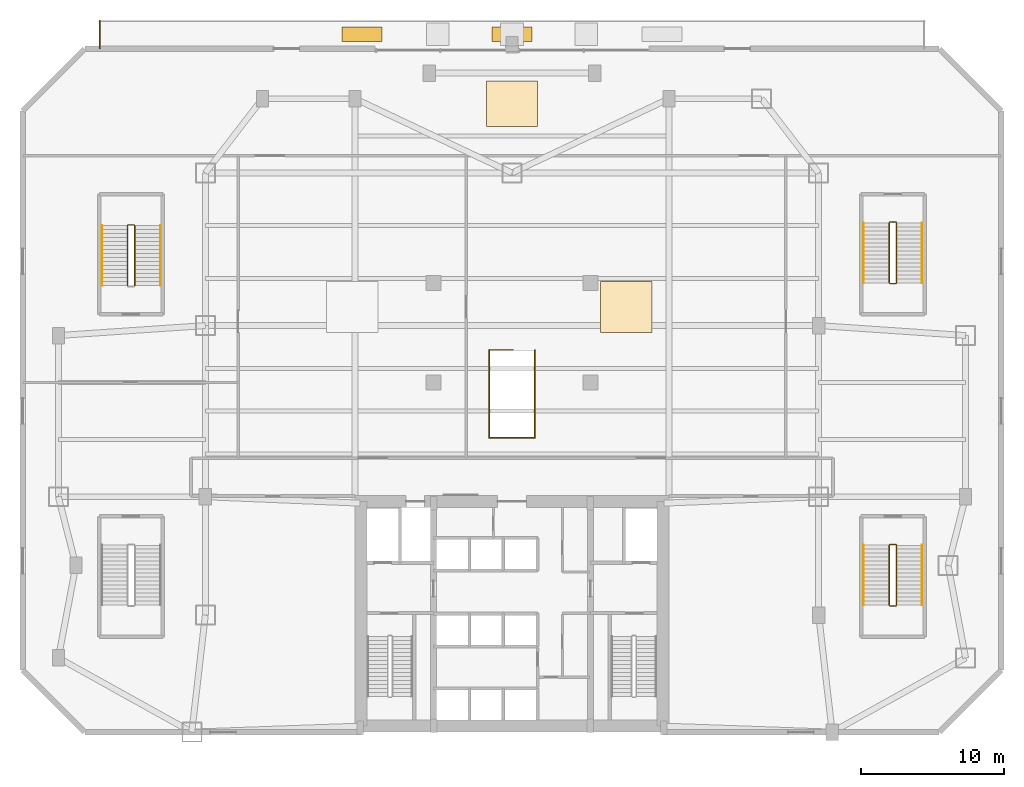
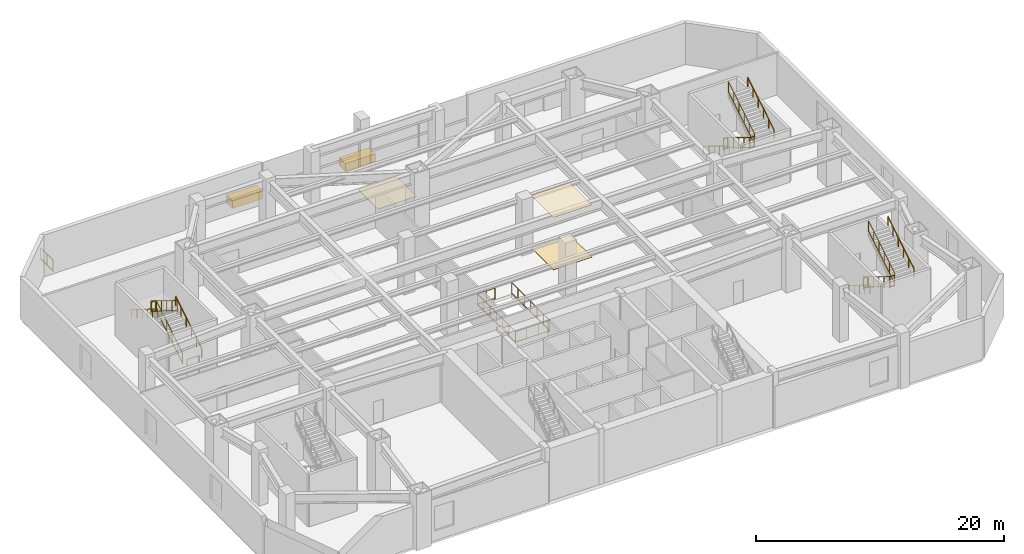
# One storey, part 9 of 10: 22 railings, 5 coverings.
"""IFC4 building model written with IfcOpenShell, lengths in metres."""

from ifc_helpers import new_model, si_unit, direction, frame, origin, origin_2d, place, context, subcontext, project, spatial, rectangle, extrude, source, transform, mapped, material, layer, layer_set, type_object, type_shapes, element, save


model = new_model("IFC4")

# Units and contexts
model_context = context("Model", 3, precision=1e-05, world=origin(), true_north=direction((0.0, 1.0)))
body_context = subcontext(model_context, "Body", "Model", "MODEL_VIEW")
ifc_project = project(units=[si_unit("LENGTHUNIT", "METRE"), si_unit("AREAUNIT", "SQUARE_METRE"), si_unit("VOLUMEUNIT", "CUBIC_METRE"), si_unit("PLANEANGLEUNIT", "RADIAN"), si_unit("MASSUNIT", "GRAM", prefix="KILO")], contexts=[model_context])

# Site, building, storey
site_placement = place(None, origin())
site = spatial("IfcSite", under=ifc_project, at=site_placement, CompositionType="ELEMENT")
building_placement = place(site_placement, origin())
building = spatial("IfcBuilding", under=site, at=building_placement, Name="Varnakhor Terracotta Tower", CompositionType="ELEMENT")
storey_placement = place(building_placement, frame((0.0, 0.0, 5.5)))
storey = spatial("IfcBuildingStorey", under=building, at=storey_placement, Name="L01", CompositionType="ELEMENT", Elevation=5.5)

# Railings
ifc_material_1 = material(Name="Painted Steel Stairwell Guardrail", Category="steel")
railing_type_1 = type_object("IfcRailingType", Name="RLG-STAIR-GUARD-1120", PredefinedType="GUARDRAIL", material=ifc_material_1)
railing_1_placement = place(storey_placement, frame((26.449951171875, 13.10009765625, 0.171875)))
element("IfcRailing", 1, at=railing_1_placement, inside=storey, type_object=railing_type_1, Name="L01 ST-P2 stair guard 1", PredefinedType="GUARDRAIL", context=body_context, shape_type="SweptSolid", body=[
    extrude(rectangle(XDim=0.048095703125, YDim=0.048095703125, at=origin_2d()), frame((0.0, 0.0, 1.09619140625), z_axis=(0.0, -0.852256472501, 0.523124177495), x_axis=(1.0, 0.0, 0.0)), (0.0, 0.0, 1.0), 4.92822265625),
    extrude(rectangle(XDim=0.048095703125, YDim=0.048095703125, at=origin_2d()), frame((0.0, 0.0, 0.10009765625), z_axis=(0.0, -0.852256472501, 0.523124177495), x_axis=(1.0, 0.0, 0.0)), (0.0, 0.0, 1.0), 4.92822265625),
    extrude(rectangle(XDim=0.0419921875, YDim=0.0419921875, at=origin_2d()), origin(), (0.0, 0.0, 1.0), 1.072021484375),
    extrude(rectangle(XDim=0.0419921875, YDim=0.0419921875, at=origin_2d()), frame((0.0, -0.840087890625, 0.515625)), (0.0, 0.0, 1.0), 1.072021484375),
    extrude(rectangle(XDim=0.0419921875, YDim=0.0419921875, at=origin_2d()), frame((0.0, -1.68017578125, 1.03125)), (0.0, 0.0, 1.0), 1.072021484375),
    extrude(rectangle(XDim=0.0419921875, YDim=0.0419921875, at=origin_2d()), frame((0.0, -2.52001953125, 1.546875)), (0.0, 0.0, 1.0), 1.072021484375),
    extrude(rectangle(XDim=0.0419921875, YDim=0.0419921875, at=origin_2d()), frame((0.0, -3.360107421875, 2.0625)), (0.0, 0.0, 1.0), 1.072021484375),
    extrude(rectangle(XDim=0.0419921875, YDim=0.0419921875, at=origin_2d()), frame((0.0, -4.2001953125, 2.578125)), (0.0, 0.0, 1.0), 1.072021484375),
])
railing_2_placement = place(storey_placement, frame((26.5, 8.85009765625, 2.75)))
element("IfcRailing", 2, at=railing_2_placement, inside=storey, type_object=railing_type_1, Name="L01 ST-P2 stair guard 2", PredefinedType="GUARDRAIL", context=body_context, shape_type="SweptSolid", body=[
    extrude(rectangle(XDim=0.048095703125, YDim=0.048095703125, at=origin_2d()), frame((0.0, 0.0, 1.09619140625), z_axis=(1.0, 0.0, 0.0), x_axis=(0.0, 1.0, 0.0)), (0.0, 0.0, 1.0), 0.39990234375),
    extrude(rectangle(XDim=0.048095703125, YDim=0.048095703125, at=origin_2d()), frame((0.0, 0.0, 0.10009765625), z_axis=(1.0, 0.0, 0.0), x_axis=(0.0, 1.0, 0.0)), (0.0, 0.0, 1.0), 0.39990234375),
    extrude(rectangle(XDim=0.0419921875, YDim=0.0419921875, at=origin_2d()), origin(), (0.0, 0.0, 1.0), 1.072021484375),
    extrude(rectangle(XDim=0.0419921875, YDim=0.0419921875, at=origin_2d()), frame((0.39990234375, 0.0, 0.0)), (0.0, 0.0, 1.0), 1.072021484375),
])
railing_3_placement = place(storey_placement, frame((26.949951171875, 8.89990234375, 2.921875)))
element("IfcRailing", 3, at=railing_3_placement, inside=storey, type_object=railing_type_1, Name="L01 ST-P2 stair guard 3", PredefinedType="GUARDRAIL", context=body_context, shape_type="SweptSolid", body=[
    extrude(rectangle(XDim=0.048095703125, YDim=0.048095703125, at=origin_2d()), frame((0.0, 0.0, 1.09619140625), z_axis=(0.0, 0.852256472501, 0.523124177495), x_axis=(-1.0, 0.0, 0.0)), (0.0, 0.0, 1.0), 4.92822265625),
    extrude(rectangle(XDim=0.048095703125, YDim=0.048095703125, at=origin_2d()), frame((0.0, 0.0, 0.10009765625), z_axis=(0.0, 0.852256472501, 0.523124177495), x_axis=(-1.0, 0.0, 0.0)), (0.0, 0.0, 1.0), 4.92822265625),
    extrude(rectangle(XDim=0.0419921875, YDim=0.0419921875, at=origin_2d()), origin(), (0.0, 0.0, 1.0), 1.072021484375),
    extrude(rectangle(XDim=0.0419921875, YDim=0.0419921875, at=origin_2d()), frame((0.0, 0.840087890625, 0.515625)), (0.0, 0.0, 1.0), 1.072021484375),
    extrude(rectangle(XDim=0.0419921875, YDim=0.0419921875, at=origin_2d()), frame((0.0, 1.68017578125, 1.03125)), (0.0, 0.0, 1.0), 1.072021484375),
    extrude(rectangle(XDim=0.0419921875, YDim=0.0419921875, at=origin_2d()), frame((0.0, 2.52001953125, 1.546875)), (0.0, 0.0, 1.0), 1.072021484375),
    extrude(rectangle(XDim=0.0419921875, YDim=0.0419921875, at=origin_2d()), frame((0.0, 3.360107421875, 2.0625)), (0.0, 0.0, 1.0), 1.072021484375),
    extrude(rectangle(XDim=0.0419921875, YDim=0.0419921875, at=origin_2d()), frame((0.0, 4.2001953125, 2.578125)), (0.0, 0.0, 1.0), 1.072021484375),
])
railing_4_placement = place(storey_placement, frame((26.5, 13.14990234375, 0.0)))
element("IfcRailing", 4, at=railing_4_placement, inside=storey, type_object=railing_type_1, Name="L01 ST-P2 stair guard 4", PredefinedType="GUARDRAIL", context=body_context, shape_type="SweptSolid", body=[
    extrude(rectangle(XDim=0.048095703125, YDim=0.048095703125, at=origin_2d()), frame((0.0, 0.0, 1.09619140625), z_axis=(1.0, 0.0, 0.0), x_axis=(0.0, 1.0, 0.0)), (0.0, 0.0, 1.0), 0.39990234375),
    extrude(rectangle(XDim=0.048095703125, YDim=0.048095703125, at=origin_2d()), frame((0.0, 0.0, 0.10009765625), z_axis=(1.0, 0.0, 0.0), x_axis=(0.0, 1.0, 0.0)), (0.0, 0.0, 1.0), 0.39990234375),
    extrude(rectangle(XDim=0.0419921875, YDim=0.0419921875, at=origin_2d()), origin(), (0.0, 0.0, 1.0), 1.072021484375),
    extrude(rectangle(XDim=0.0419921875, YDim=0.0419921875, at=origin_2d()), frame((0.39990234375, 0.0, 0.0)), (0.0, 0.0, 1.0), 1.072021484375),
])
railing_5_placement = place(storey_placement, frame((-26.449951171875, 31.300048828125, 0.171875)))
element("IfcRailing", 5, at=railing_5_placement, inside=storey, type_object=railing_type_1, Name="L01 ST-P3 stair guard 1", PredefinedType="GUARDRAIL", context=body_context, shape_type="SweptSolid", body=[
    extrude(rectangle(XDim=0.048095703125, YDim=0.048095703125, at=origin_2d()), frame((0.0, 0.0, 1.09619140625), z_axis=(0.0, 0.852242915053, 0.523146264196), x_axis=(-1.0, 0.0, 0.0)), (0.0, 0.0, 1.0), 4.92822265625),
    extrude(rectangle(XDim=0.048095703125, YDim=0.048095703125, at=origin_2d()), frame((0.0, 0.0, 0.10009765625), z_axis=(0.0, 0.852242915053, 0.523146264196), x_axis=(-1.0, 0.0, 0.0)), (0.0, 0.0, 1.0), 4.92822265625),
    extrude(rectangle(XDim=0.0419921875, YDim=0.0419921875, at=origin_2d()), origin(), (0.0, 0.0, 1.0), 1.072021484375),
    extrude(rectangle(XDim=0.0419921875, YDim=0.0419921875, at=origin_2d()), frame((0.0, 0.840087890625, 0.515625)), (0.0, 0.0, 1.0), 1.072021484375),
    extrude(rectangle(XDim=0.0419921875, YDim=0.0419921875, at=origin_2d()), frame((0.0, 1.679931640625, 1.03125)), (0.0, 0.0, 1.0), 1.072021484375),
    extrude(rectangle(XDim=0.0419921875, YDim=0.0419921875, at=origin_2d()), frame((0.0, 2.52001953125, 1.546875)), (0.0, 0.0, 1.0), 1.072021484375),
    extrude(rectangle(XDim=0.0419921875, YDim=0.0419921875, at=origin_2d()), frame((0.0, 3.35986328125, 2.0625)), (0.0, 0.0, 1.0), 1.072021484375),
    extrude(rectangle(XDim=0.0419921875, YDim=0.0419921875, at=origin_2d()), frame((0.0, 4.199951171875, 2.578125)), (0.0, 0.0, 1.0), 1.072021484375),
])
railing_6_placement = place(storey_placement, frame((-26.5, 35.550048828125, 2.75)))
element("IfcRailing", 6, at=railing_6_placement, inside=storey, type_object=railing_type_1, Name="L01 ST-P3 stair guard 2", PredefinedType="GUARDRAIL", context=body_context, shape_type="SweptSolid", body=[
    extrude(rectangle(XDim=0.048095703125, YDim=0.048095703125, at=origin_2d()), frame((0.0, 0.0, 1.09619140625), z_axis=(-1.0, 0.0, 0.0), x_axis=(0.0, -1.0, 0.0)), (0.0, 0.0, 1.0), 0.39990234375),
    extrude(rectangle(XDim=0.048095703125, YDim=0.048095703125, at=origin_2d()), frame((0.0, 0.0, 0.10009765625), z_axis=(-1.0, 0.0, 0.0), x_axis=(0.0, -1.0, 0.0)), (0.0, 0.0, 1.0), 0.39990234375),
    extrude(rectangle(XDim=0.0419921875, YDim=0.0419921875, at=origin_2d()), origin(), (0.0, 0.0, 1.0), 1.072021484375),
    extrude(rectangle(XDim=0.0419921875, YDim=0.0419921875, at=origin_2d()), frame((-0.39990234375, 0.0, 0.0)), (0.0, 0.0, 1.0), 1.072021484375),
])
for number, where, name in (
    (7, (-26.949951171875, 35.5, 2.921875), "L01 ST-P3 stair guard 3"),
    (8, (26.449951171875, 35.699951171875, 0.171875), "L01 ST-P4 stair guard 1"),
):
    element("IfcRailing", number, at=place(storey_placement, frame(where)), inside=storey, type_object=railing_type_1, Name=name, PredefinedType="GUARDRAIL", context=body_context, shape_type="SweptSolid", body=[
        extrude(rectangle(XDim=0.048095703125, YDim=0.048095703125, at=origin_2d()), frame((0.0, 0.0, 1.09619140625), z_axis=(0.0, -0.852242915053, 0.523146264196), x_axis=(1.0, 0.0, 0.0)), (0.0, 0.0, 1.0), 4.92822265625),
        extrude(rectangle(XDim=0.048095703125, YDim=0.048095703125, at=origin_2d()), frame((0.0, 0.0, 0.10009765625), z_axis=(0.0, -0.852242915053, 0.523146264196), x_axis=(1.0, 0.0, 0.0)), (0.0, 0.0, 1.0), 4.92822265625),
        extrude(rectangle(XDim=0.0419921875, YDim=0.0419921875, at=origin_2d()), origin(), (0.0, 0.0, 1.0), 1.072021484375),
        extrude(rectangle(XDim=0.0419921875, YDim=0.0419921875, at=origin_2d()), frame((0.0, -0.840087890625, 0.515625)), (0.0, 0.0, 1.0), 1.072021484375),
        extrude(rectangle(XDim=0.0419921875, YDim=0.0419921875, at=origin_2d()), frame((0.0, -1.679931640625, 1.03125)), (0.0, 0.0, 1.0), 1.072021484375),
        extrude(rectangle(XDim=0.0419921875, YDim=0.0419921875, at=origin_2d()), frame((0.0, -2.52001953125, 1.546875)), (0.0, 0.0, 1.0), 1.072021484375),
        extrude(rectangle(XDim=0.0419921875, YDim=0.0419921875, at=origin_2d()), frame((0.0, -3.35986328125, 2.0625)), (0.0, 0.0, 1.0), 1.072021484375),
        extrude(rectangle(XDim=0.0419921875, YDim=0.0419921875, at=origin_2d()), frame((0.0, -4.199951171875, 2.578125)), (0.0, 0.0, 1.0), 1.072021484375),
    ])
railing_7_placement = place(storey_placement, frame((26.5, 31.449951171875, 2.75)))
element("IfcRailing", 9, at=railing_7_placement, inside=storey, type_object=railing_type_1, Name="L01 ST-P4 stair guard 2", PredefinedType="GUARDRAIL", context=body_context, shape_type="SweptSolid", body=[
    extrude(rectangle(XDim=0.048095703125, YDim=0.048095703125, at=origin_2d()), frame((0.0, 0.0, 1.09619140625), z_axis=(1.0, 0.0, 0.0), x_axis=(0.0, 1.0, 0.0)), (0.0, 0.0, 1.0), 0.39990234375),
    extrude(rectangle(XDim=0.048095703125, YDim=0.048095703125, at=origin_2d()), frame((0.0, 0.0, 0.10009765625), z_axis=(1.0, 0.0, 0.0), x_axis=(0.0, 1.0, 0.0)), (0.0, 0.0, 1.0), 0.39990234375),
    extrude(rectangle(XDim=0.0419921875, YDim=0.0419921875, at=origin_2d()), origin(), (0.0, 0.0, 1.0), 1.072021484375),
    extrude(rectangle(XDim=0.0419921875, YDim=0.0419921875, at=origin_2d()), frame((0.39990234375, 0.0, 0.0)), (0.0, 0.0, 1.0), 1.072021484375),
])
railing_8_placement = place(storey_placement, frame((26.949951171875, 31.5, 2.921875)))
element("IfcRailing", 10, at=railing_8_placement, inside=storey, type_object=railing_type_1, Name="L01 ST-P4 stair guard 3", PredefinedType="GUARDRAIL", context=body_context, shape_type="SweptSolid", body=[
    extrude(rectangle(XDim=0.048095703125, YDim=0.048095703125, at=origin_2d()), frame((0.0, 0.0, 1.09619140625), z_axis=(0.0, 0.852242915053, 0.523146264196), x_axis=(-1.0, 0.0, 0.0)), (0.0, 0.0, 1.0), 4.92822265625),
    extrude(rectangle(XDim=0.048095703125, YDim=0.048095703125, at=origin_2d()), frame((0.0, 0.0, 0.10009765625), z_axis=(0.0, 0.852242915053, 0.523146264196), x_axis=(-1.0, 0.0, 0.0)), (0.0, 0.0, 1.0), 4.92822265625),
    extrude(rectangle(XDim=0.0419921875, YDim=0.0419921875, at=origin_2d()), origin(), (0.0, 0.0, 1.0), 1.072021484375),
    extrude(rectangle(XDim=0.0419921875, YDim=0.0419921875, at=origin_2d()), frame((0.0, 0.840087890625, 0.515625)), (0.0, 0.0, 1.0), 1.072021484375),
    extrude(rectangle(XDim=0.0419921875, YDim=0.0419921875, at=origin_2d()), frame((0.0, 1.679931640625, 1.03125)), (0.0, 0.0, 1.0), 1.072021484375),
    extrude(rectangle(XDim=0.0419921875, YDim=0.0419921875, at=origin_2d()), frame((0.0, 2.52001953125, 1.546875)), (0.0, 0.0, 1.0), 1.072021484375),
    extrude(rectangle(XDim=0.0419921875, YDim=0.0419921875, at=origin_2d()), frame((0.0, 3.35986328125, 2.0625)), (0.0, 0.0, 1.0), 1.072021484375),
    extrude(rectangle(XDim=0.0419921875, YDim=0.0419921875, at=origin_2d()), frame((0.0, 4.199951171875, 2.578125)), (0.0, 0.0, 1.0), 1.072021484375),
])
railing_9_placement = place(storey_placement, frame((26.5, 35.75, 0.0)))
element("IfcRailing", 11, at=railing_9_placement, inside=storey, type_object=railing_type_1, Name="L01 ST-P4 stair guard 4", PredefinedType="GUARDRAIL", context=body_context, shape_type="SweptSolid", body=[
    extrude(rectangle(XDim=0.048095703125, YDim=0.048095703125, at=origin_2d()), frame((0.0, 0.0, 1.09619140625), z_axis=(1.0, 0.0, 0.0), x_axis=(0.0, 1.0, 0.0)), (0.0, 0.0, 1.0), 0.39990234375),
    extrude(rectangle(XDim=0.048095703125, YDim=0.048095703125, at=origin_2d()), frame((0.0, 0.0, 0.10009765625), z_axis=(1.0, 0.0, 0.0), x_axis=(0.0, 1.0, 0.0)), (0.0, 0.0, 1.0), 0.39990234375),
    extrude(rectangle(XDim=0.0419921875, YDim=0.0419921875, at=origin_2d()), origin(), (0.0, 0.0, 1.0), 1.072021484375),
    extrude(rectangle(XDim=0.0419921875, YDim=0.0419921875, at=origin_2d()), frame((0.39990234375, 0.0, 0.0)), (0.0, 0.0, 1.0), 1.072021484375),
])
railing_10_placement = place(storey_placement, frame((-1.60009765625, 20.6298828125, 0.0)))
element("IfcRailing", 12, at=railing_10_placement, inside=storey, type_object=railing_type_1, Name="L01 Feature Stair Well Balustrade 1", PredefinedType="GUARDRAIL", context=body_context, shape_type="SweptSolid", body=[
    extrude(rectangle(XDim=0.048095703125, YDim=0.048095703125, at=origin_2d()), frame((0.0, 0.0, 1.1259765625), z_axis=(0.0, 1.0, 0.0), x_axis=(-1.0, 0.0, 0.0)), (0.0, 0.0, 1.0), 6.150146484375),
    extrude(rectangle(XDim=0.048095703125, YDim=0.048095703125, at=origin_2d()), frame((0.0, 0.0, 0.10009765625), z_axis=(0.0, 1.0, 0.0), x_axis=(-1.0, 0.0, 0.0)), (0.0, 0.0, 1.0), 6.150146484375),
    extrude(rectangle(XDim=0.0419921875, YDim=0.0419921875, at=origin_2d()), origin(), (0.0, 0.0, 1.0), 1.101806640625),
    extrude(rectangle(XDim=0.0419921875, YDim=0.0419921875, at=origin_2d()), frame((0.0, 1.02490234375, 0.0)), (0.0, 0.0, 1.0), 1.101806640625),
    extrude(rectangle(XDim=0.0419921875, YDim=0.0419921875, at=origin_2d()), frame((0.0, 2.050048828125, 0.0)), (0.0, 0.0, 1.0), 1.101806640625),
    extrude(rectangle(XDim=0.0419921875, YDim=0.0419921875, at=origin_2d()), frame((0.0, 3.0751953125, 0.0)), (0.0, 0.0, 1.0), 1.101806640625),
    extrude(rectangle(XDim=0.0419921875, YDim=0.0419921875, at=origin_2d()), frame((0.0, 4.10009765625, 0.0)), (0.0, 0.0, 1.0), 1.101806640625),
    extrude(rectangle(XDim=0.0419921875, YDim=0.0419921875, at=origin_2d()), frame((0.0, 5.125, 0.0)), (0.0, 0.0, 1.0), 1.101806640625),
    extrude(rectangle(XDim=0.0419921875, YDim=0.0419921875, at=origin_2d()), frame((0.0, 6.150146484375, 0.0)), (0.0, 0.0, 1.0), 1.101806640625),
])
railing_11_placement = place(storey_placement, frame((-1.60009765625, 20.6298828125, 0.0)))
element("IfcRailing", 13, at=railing_11_placement, inside=storey, type_object=railing_type_1, Name="L01 Feature Stair Well Balustrade 2", PredefinedType="GUARDRAIL", context=body_context, shape_type="SweptSolid", body=[
    extrude(rectangle(XDim=0.048095703125, YDim=0.048095703125, at=origin_2d()), frame((0.0, 0.0, 1.1259765625), z_axis=(1.0, 0.0, 0.0), x_axis=(0.0, 1.0, 0.0)), (0.0, 0.0, 1.0), 3.2001953125),
    extrude(rectangle(XDim=0.048095703125, YDim=0.048095703125, at=origin_2d()), frame((0.0, 0.0, 0.10009765625), z_axis=(1.0, 0.0, 0.0), x_axis=(0.0, 1.0, 0.0)), (0.0, 0.0, 1.0), 3.2001953125),
    extrude(rectangle(XDim=0.0419921875, YDim=0.0419921875, at=origin_2d()), origin(), (0.0, 0.0, 1.0), 1.101806640625),
    extrude(rectangle(XDim=0.0419921875, YDim=0.0419921875, at=origin_2d()), frame((1.066650390625, 0.0, 0.0)), (0.0, 0.0, 1.0), 1.101806640625),
    extrude(rectangle(XDim=0.0419921875, YDim=0.0419921875, at=origin_2d()), frame((2.133544921875, 0.0, 0.0)), (0.0, 0.0, 1.0), 1.101806640625),
    extrude(rectangle(XDim=0.0419921875, YDim=0.0419921875, at=origin_2d()), frame((3.2001953125, 0.0, 0.0)), (0.0, 0.0, 1.0), 1.101806640625),
])
railing_12_placement = place(storey_placement, frame((1.60009765625, 20.6298828125, 0.0)))
element("IfcRailing", 14, at=railing_12_placement, inside=storey, type_object=railing_type_1, Name="L01 Feature Stair Well Balustrade 3", PredefinedType="GUARDRAIL", context=body_context, shape_type="SweptSolid", body=[
    extrude(rectangle(XDim=0.048095703125, YDim=0.048095703125, at=origin_2d()), frame((0.0, 0.0, 1.1259765625), z_axis=(0.0, 1.0, 0.0), x_axis=(-1.0, 0.0, 0.0)), (0.0, 0.0, 1.0), 6.150146484375),
    extrude(rectangle(XDim=0.048095703125, YDim=0.048095703125, at=origin_2d()), frame((0.0, 0.0, 0.10009765625), z_axis=(0.0, 1.0, 0.0), x_axis=(-1.0, 0.0, 0.0)), (0.0, 0.0, 1.0), 6.150146484375),
    extrude(rectangle(XDim=0.0419921875, YDim=0.0419921875, at=origin_2d()), origin(), (0.0, 0.0, 1.0), 1.101806640625),
    extrude(rectangle(XDim=0.0419921875, YDim=0.0419921875, at=origin_2d()), frame((0.0, 1.02490234375, 0.0)), (0.0, 0.0, 1.0), 1.101806640625),
    extrude(rectangle(XDim=0.0419921875, YDim=0.0419921875, at=origin_2d()), frame((0.0, 2.050048828125, 0.0)), (0.0, 0.0, 1.0), 1.101806640625),
    extrude(rectangle(XDim=0.0419921875, YDim=0.0419921875, at=origin_2d()), frame((0.0, 3.0751953125, 0.0)), (0.0, 0.0, 1.0), 1.101806640625),
    extrude(rectangle(XDim=0.0419921875, YDim=0.0419921875, at=origin_2d()), frame((0.0, 4.10009765625, 0.0)), (0.0, 0.0, 1.0), 1.101806640625),
    extrude(rectangle(XDim=0.0419921875, YDim=0.0419921875, at=origin_2d()), frame((0.0, 5.125, 0.0)), (0.0, 0.0, 1.0), 1.101806640625),
    extrude(rectangle(XDim=0.0419921875, YDim=0.0419921875, at=origin_2d()), frame((0.0, 6.150146484375, 0.0)), (0.0, 0.0, 1.0), 1.101806640625),
])
railing_13_placement = place(storey_placement, frame((-1.60009765625, 26.780029296875, 0.0)))
element("IfcRailing", 15, at=railing_13_placement, inside=storey, type_object=railing_type_1, Name="L01 Feature Stair Well Balustrade 4", PredefinedType="GUARDRAIL", context=body_context, shape_type="SweptSolid", body=[
    extrude(rectangle(XDim=0.048095703125, YDim=0.048095703125, at=origin_2d()), frame((0.0, 0.0, 1.1259765625), z_axis=(1.0, 0.0, 0.0), x_axis=(0.0, 1.0, 0.0)), (0.0, 0.0, 1.0), 1.66015625),
    extrude(rectangle(XDim=0.048095703125, YDim=0.048095703125, at=origin_2d()), frame((0.0, 0.0, 0.10009765625), z_axis=(1.0, 0.0, 0.0), x_axis=(0.0, 1.0, 0.0)), (0.0, 0.0, 1.0), 1.66015625),
    extrude(rectangle(XDim=0.0419921875, YDim=0.0419921875, at=origin_2d()), origin(), (0.0, 0.0, 1.0), 1.101806640625),
    extrude(rectangle(XDim=0.0419921875, YDim=0.0419921875, at=origin_2d()), frame((0.830078125, 0.0, 0.0)), (0.0, 0.0, 1.0), 1.101806640625),
    extrude(rectangle(XDim=0.0419921875, YDim=0.0419921875, at=origin_2d()), frame((1.66015625, 0.0, 0.0)), (0.0, 0.0, 1.0), 1.101806640625),
])
ifc_material_2 = material(Name="Brushed Stainless Steel Handrail", Category="steel")
railing_type_2 = type_object("IfcRailingType", Name="RLG-STAIR-HANDRAIL-920", PredefinedType="HANDRAIL", material=ifc_material_2)
railing_14_placement = place(storey_placement, frame((24.64990234375, 13.10009765625, 0.171875)))
element("IfcRailing", 16, at=railing_14_placement, inside=storey, type_object=railing_type_2, Name="L01 ST-P2 stair handrail 1", PredefinedType="HANDRAIL", context=body_context, shape_type="SweptSolid", body=[
    extrude(rectangle(XDim=0.048095703125, YDim=0.048095703125, at=origin_2d()), frame((0.0, 0.0, 0.89599609375), z_axis=(0.0, -0.852256472501, 0.523124177495), x_axis=(1.0, 0.0, 0.0)), (0.0, 0.0, 1.0), 4.92822265625),
    extrude(rectangle(XDim=0.0419921875, YDim=0.0419921875, at=origin_2d()), origin(), (0.0, 0.0, 1.0), 0.871826171875),
    extrude(rectangle(XDim=0.0419921875, YDim=0.0419921875, at=origin_2d()), frame((0.0, -0.840087890625, 0.515625)), (0.0, 0.0, 1.0), 0.871826171875),
    extrude(rectangle(XDim=0.0419921875, YDim=0.0419921875, at=origin_2d()), frame((0.0, -1.68017578125, 1.03125)), (0.0, 0.0, 1.0), 0.871826171875),
    extrude(rectangle(XDim=0.0419921875, YDim=0.0419921875, at=origin_2d()), frame((0.0, -2.52001953125, 1.546875)), (0.0, 0.0, 1.0), 0.871826171875),
    extrude(rectangle(XDim=0.0419921875, YDim=0.0419921875, at=origin_2d()), frame((0.0, -3.360107421875, 2.0625)), (0.0, 0.0, 1.0), 0.871826171875),
    extrude(rectangle(XDim=0.0419921875, YDim=0.0419921875, at=origin_2d()), frame((0.0, -4.2001953125, 2.578125)), (0.0, 0.0, 1.0), 0.871826171875),
])
railing_15_placement = place(storey_placement, frame((28.75, 8.89990234375, 2.921875)))
element("IfcRailing", 17, at=railing_15_placement, inside=storey, type_object=railing_type_2, Name="L01 ST-P2 stair handrail 2", PredefinedType="HANDRAIL", context=body_context, shape_type="SweptSolid", body=[
    extrude(rectangle(XDim=0.048095703125, YDim=0.048095703125, at=origin_2d()), frame((0.0, 0.0, 0.89599609375), z_axis=(0.0, 0.852256472501, 0.523124177495), x_axis=(-1.0, 0.0, 0.0)), (0.0, 0.0, 1.0), 4.92822265625),
    extrude(rectangle(XDim=0.0419921875, YDim=0.0419921875, at=origin_2d()), origin(), (0.0, 0.0, 1.0), 0.871826171875),
    extrude(rectangle(XDim=0.0419921875, YDim=0.0419921875, at=origin_2d()), frame((0.0, 0.840087890625, 0.515625)), (0.0, 0.0, 1.0), 0.871826171875),
    extrude(rectangle(XDim=0.0419921875, YDim=0.0419921875, at=origin_2d()), frame((0.0, 1.68017578125, 1.03125)), (0.0, 0.0, 1.0), 0.871826171875),
    extrude(rectangle(XDim=0.0419921875, YDim=0.0419921875, at=origin_2d()), frame((0.0, 2.52001953125, 1.546875)), (0.0, 0.0, 1.0), 0.871826171875),
    extrude(rectangle(XDim=0.0419921875, YDim=0.0419921875, at=origin_2d()), frame((0.0, 3.360107421875, 2.0625)), (0.0, 0.0, 1.0), 0.871826171875),
    extrude(rectangle(XDim=0.0419921875, YDim=0.0419921875, at=origin_2d()), frame((0.0, 4.2001953125, 2.578125)), (0.0, 0.0, 1.0), 0.871826171875),
])
railing_16_placement = place(storey_placement, frame((-24.64990234375, 31.300048828125, 0.171875)))
element("IfcRailing", 18, at=railing_16_placement, inside=storey, type_object=railing_type_2, Name="L01 ST-P3 stair handrail 1", PredefinedType="HANDRAIL", context=body_context, shape_type="SweptSolid", body=[
    extrude(rectangle(XDim=0.048095703125, YDim=0.048095703125, at=origin_2d()), frame((0.0, 0.0, 0.89599609375), z_axis=(0.0, 0.852242915053, 0.523146264196), x_axis=(-1.0, 0.0, 0.0)), (0.0, 0.0, 1.0), 4.92822265625),
    extrude(rectangle(XDim=0.0419921875, YDim=0.0419921875, at=origin_2d()), origin(), (0.0, 0.0, 1.0), 0.871826171875),
    extrude(rectangle(XDim=0.0419921875, YDim=0.0419921875, at=origin_2d()), frame((0.0, 0.840087890625, 0.515625)), (0.0, 0.0, 1.0), 0.871826171875),
    extrude(rectangle(XDim=0.0419921875, YDim=0.0419921875, at=origin_2d()), frame((0.0, 1.679931640625, 1.03125)), (0.0, 0.0, 1.0), 0.871826171875),
    extrude(rectangle(XDim=0.0419921875, YDim=0.0419921875, at=origin_2d()), frame((0.0, 2.52001953125, 1.546875)), (0.0, 0.0, 1.0), 0.871826171875),
    extrude(rectangle(XDim=0.0419921875, YDim=0.0419921875, at=origin_2d()), frame((0.0, 3.35986328125, 2.0625)), (0.0, 0.0, 1.0), 0.871826171875),
    extrude(rectangle(XDim=0.0419921875, YDim=0.0419921875, at=origin_2d()), frame((0.0, 4.199951171875, 2.578125)), (0.0, 0.0, 1.0), 0.871826171875),
])
for number, where, name in (
    (19, (-28.75, 35.5, 2.921875), "L01 ST-P3 stair handrail 2"),
    (20, (24.64990234375, 35.699951171875, 0.171875), "L01 ST-P4 stair handrail 1"),
):
    element("IfcRailing", number, at=place(storey_placement, frame(where)), inside=storey, type_object=railing_type_2, Name=name, PredefinedType="HANDRAIL", context=body_context, shape_type="SweptSolid", body=[
        extrude(rectangle(XDim=0.048095703125, YDim=0.048095703125, at=origin_2d()), frame((0.0, 0.0, 0.89599609375), z_axis=(0.0, -0.852242915053, 0.523146264196), x_axis=(1.0, 0.0, 0.0)), (0.0, 0.0, 1.0), 4.92822265625),
        extrude(rectangle(XDim=0.0419921875, YDim=0.0419921875, at=origin_2d()), origin(), (0.0, 0.0, 1.0), 0.871826171875),
        extrude(rectangle(XDim=0.0419921875, YDim=0.0419921875, at=origin_2d()), frame((0.0, -0.840087890625, 0.515625)), (0.0, 0.0, 1.0), 0.871826171875),
        extrude(rectangle(XDim=0.0419921875, YDim=0.0419921875, at=origin_2d()), frame((0.0, -1.679931640625, 1.03125)), (0.0, 0.0, 1.0), 0.871826171875),
        extrude(rectangle(XDim=0.0419921875, YDim=0.0419921875, at=origin_2d()), frame((0.0, -2.52001953125, 1.546875)), (0.0, 0.0, 1.0), 0.871826171875),
        extrude(rectangle(XDim=0.0419921875, YDim=0.0419921875, at=origin_2d()), frame((0.0, -3.35986328125, 2.0625)), (0.0, 0.0, 1.0), 0.871826171875),
        extrude(rectangle(XDim=0.0419921875, YDim=0.0419921875, at=origin_2d()), frame((0.0, -4.199951171875, 2.578125)), (0.0, 0.0, 1.0), 0.871826171875),
    ])
railing_17_placement = place(storey_placement, frame((28.75, 31.5, 2.921875)))
element("IfcRailing", 21, at=railing_17_placement, inside=storey, type_object=railing_type_2, Name="L01 ST-P4 stair handrail 2", PredefinedType="HANDRAIL", context=body_context, shape_type="SweptSolid", body=[
    extrude(rectangle(XDim=0.048095703125, YDim=0.048095703125, at=origin_2d()), frame((0.0, 0.0, 0.89599609375), z_axis=(0.0, 0.852242915053, 0.523146264196), x_axis=(-1.0, 0.0, 0.0)), (0.0, 0.0, 1.0), 4.92822265625),
    extrude(rectangle(XDim=0.0419921875, YDim=0.0419921875, at=origin_2d()), origin(), (0.0, 0.0, 1.0), 0.871826171875),
    extrude(rectangle(XDim=0.0419921875, YDim=0.0419921875, at=origin_2d()), frame((0.0, 0.840087890625, 0.515625)), (0.0, 0.0, 1.0), 0.871826171875),
    extrude(rectangle(XDim=0.0419921875, YDim=0.0419921875, at=origin_2d()), frame((0.0, 1.679931640625, 1.03125)), (0.0, 0.0, 1.0), 0.871826171875),
    extrude(rectangle(XDim=0.0419921875, YDim=0.0419921875, at=origin_2d()), frame((0.0, 2.52001953125, 1.546875)), (0.0, 0.0, 1.0), 0.871826171875),
    extrude(rectangle(XDim=0.0419921875, YDim=0.0419921875, at=origin_2d()), frame((0.0, 3.35986328125, 2.0625)), (0.0, 0.0, 1.0), 0.871826171875),
    extrude(rectangle(XDim=0.0419921875, YDim=0.0419921875, at=origin_2d()), frame((0.0, 4.199951171875, 2.578125)), (0.0, 0.0, 1.0), 0.871826171875),
])
ifc_material_3 = material(Name="Terracotta & Brushed Steel Balustrade", Category="masonry")
railing_type_3 = type_object("IfcRailingType", Name="RLG-TERRACE-GUARD-1200", PredefinedType="BALUSTRADE", material=ifc_material_3)
railing_18_placement = place(storey_placement, frame((-28.89990234375, 47.93994140625, 0.0)))
element("IfcRailing", 22, at=railing_18_placement, inside=storey, type_object=railing_type_3, Name="L01 Terrace Stone Parapet Guard 4", PredefinedType="BALUSTRADE", context=body_context, shape_type="SweptSolid", body=[
    extrude(rectangle(XDim=0.048095703125, YDim=0.048095703125, at=origin_2d()), frame((0.0, 0.0, 1.17578125), z_axis=(0.0, 1.0, 0.0), x_axis=(-1.0, 0.0, 0.0)), (0.0, 0.0, 1.0), 1.9599609375),
    extrude(rectangle(XDim=0.048095703125, YDim=0.048095703125, at=origin_2d()), frame((0.0, 0.0, 0.10009765625), z_axis=(0.0, 1.0, 0.0), x_axis=(-1.0, 0.0, 0.0)), (0.0, 0.0, 1.0), 1.9599609375),
    extrude(rectangle(XDim=0.0419921875, YDim=0.0419921875, at=origin_2d()), origin(), (0.0, 0.0, 1.0), 1.15185546875),
    extrude(rectangle(XDim=0.0419921875, YDim=0.0419921875, at=origin_2d()), frame((0.0, 0.97998046875, 0.0)), (0.0, 0.0, 1.0), 1.15185546875),
    extrude(rectangle(XDim=0.0419921875, YDim=0.0419921875, at=origin_2d()), frame((0.0, 1.9599609375, 0.0)), (0.0, 0.0, 1.0), 1.15185546875),
])

# Coverings
ifc_material_4 = material(Name="Planted Terracotta Garden Substrate Bed", Category="masonry")
ifc_layer_1 = layer(ifc_material_4, 0.449951171875, Name="Planted Terracotta Garden Substrate Bed")
ifc_layer_set_1 = layer_set([ifc_layer_1], Name="Planted Terracotta Garden Substrate Bed")
covering_type_1 = type_object("IfcCoveringType", Name="PLANTER TERRACOTTA BED", PredefinedType="USERDEFINED", material=ifc_layer_set_1)
shared_shape_1 = source(origin(), body_context, "Body", "SweptSolid", [
    extrude(rectangle(XDim=2.800048828125, YDim=1.0, at=origin_2d()), origin(), (0.0, 0.0, 1.0), 0.75),
])
type_shapes(covering_type_1, [shared_shape_1])
for number, where, z_axis, x_axis, name in (
    (23, (-10.5, 48.919921875, 0.0), (0.0, 0.0, 1.0), (1.0, 0.0, 0.0), "L01 Terrace Landscaped Planter 1"),
    (24, (0.0, 48.919921875, 0.0), (0.0, 0.0, 1.0), (1.0, 0.0, 0.0), "L01 Terrace Landscaped Planter 2"),
):
    element("IfcCovering", number, at=place(storey_placement, frame(where, z_axis=z_axis, x_axis=x_axis)), inside=storey, type_object=covering_type_1, Name=name, ObjectType="PLANTER", PredefinedType="USERDEFINED", context=body_context, shape_type="MappedRepresentation", body=[
        mapped(shared_shape_1, transform((0.0, 0.0, 0.0), scale=1.0)),
    ])
ifc_material_5 = material(Name="Honed Riyadh Limestone Flooring", Category="masonry")
ifc_layer_2 = layer(ifc_material_5, 0.030029296875, Name="Honed Riyadh Limestone Flooring")
ifc_layer_set_2 = layer_set([ifc_layer_2], Name="Honed Riyadh Limestone Flooring")
covering_type_2 = type_object("IfcCoveringType", Name="COV-FLOOR-LIMESTONE", PredefinedType="FLOORING", material=ifc_layer_set_2)
shared_shape_2 = source(origin(), body_context, "Body", "SweptSolid", [
    extrude(rectangle(XDim=3.60009765625, YDim=3.60009765625, at=origin_2d()), origin(), (0.0, 0.0, 1.0), 0.02001953125),
])
covering_1_placement = place(storey_placement, frame((7.998046875, 29.800048828125, 0.0), z_axis=(0.0, 0.0, 1.0), x_axis=(1.0, 0.0, 0.0)))
element("IfcCovering", 25, at=covering_1_placement, inside=storey, type_object=covering_type_2, Name="L01 Honed Stone Flooring 2", PredefinedType="FLOORING", context=body_context, shape_type="MappedRepresentation", body=[
    mapped(shared_shape_2, transform((0.0, 0.0, 0.0), scale=1.0)),
])
ifc_material_6 = material(Name="Perforated Acoustic Mineral-Fibre Ceiling", Category="gypsum")
ifc_layer_3 = layer(ifc_material_6, 0.02490234375, Name="Perforated Acoustic Mineral-Fibre Ceiling")
ifc_layer_set_3 = layer_set([ifc_layer_3], Name="Perforated Acoustic Mineral-Fibre Ceiling")
covering_type_3 = type_object("IfcCoveringType", Name="COV-CEILING-ACOUSTIC", PredefinedType="CEILING", material=ifc_layer_set_3)
shared_shape_3 = source(origin(), body_context, "Body", "SweptSolid", [
    extrude(rectangle(XDim=3.60009765625, YDim=3.60009765625, at=origin_2d()), origin(), (0.0, 0.0, 1.0), 0.02392578125),
])
covering_2_placement = place(storey_placement, frame((7.998046875, 29.800048828125, 5.14599609375), z_axis=(0.0, 0.0, 1.0), x_axis=(1.0, 0.0, 0.0)))
element("IfcCovering", 26, at=covering_2_placement, inside=storey, type_object=covering_type_3, Name="L01 Acoustic Ceiling Panel 2", PredefinedType="CEILING", context=body_context, shape_type="MappedRepresentation", body=[
    mapped(shared_shape_3, transform((0.0, 0.0, 0.0), scale=1.0)),
])
shared_shape_4 = source(origin(), body_context, "Body", "SweptSolid", [
    extrude(rectangle(XDim=3.60009765625, YDim=3.201904296875, at=origin_2d()), origin(), (0.0, 0.0, 1.0), 0.02001953125),
])
covering_3_placement = place(storey_placement, frame((0.0, 44.05908203125, 0.0), z_axis=(0.0, 0.0, 1.0), x_axis=(1.0, 0.0, 0.0)))
element("IfcCovering", 27, at=covering_3_placement, inside=storey, type_object=covering_type_2, Name="L01 Honed Stone Flooring 3", PredefinedType="FLOORING", context=body_context, shape_type="MappedRepresentation", body=[
    mapped(shared_shape_4, transform((0.0, 0.0, 0.0), scale=1.0)),
])

save(model, "model.ifc")
